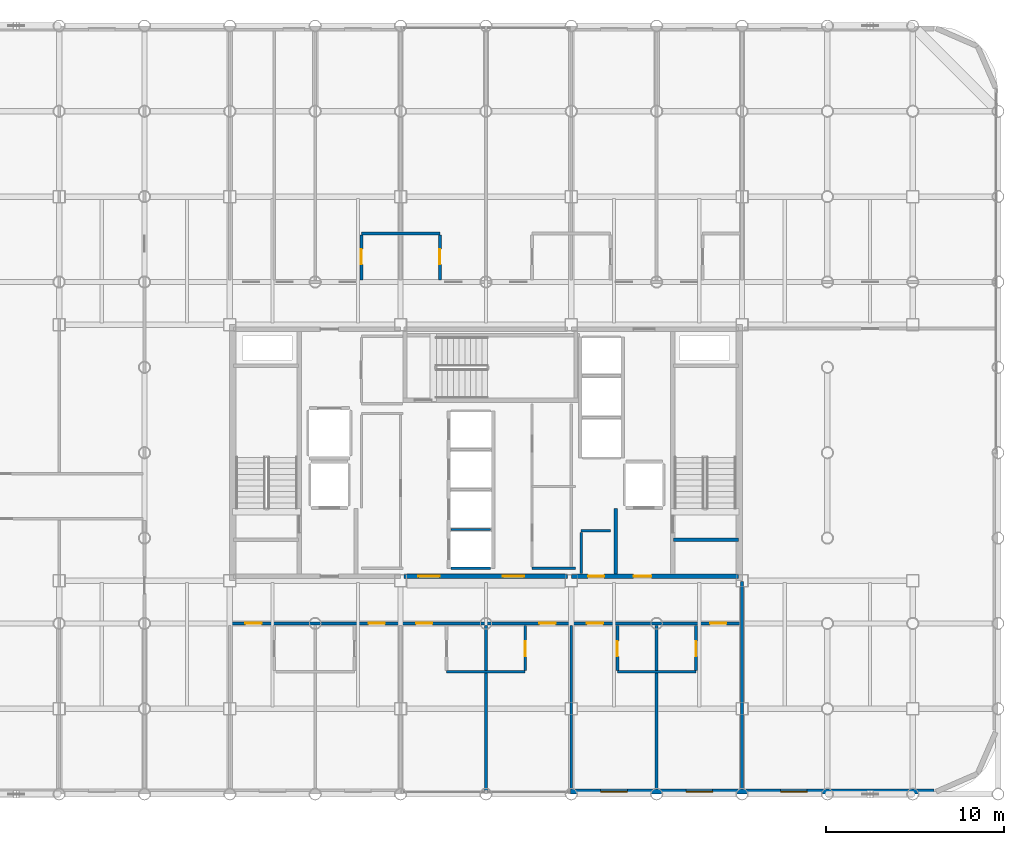
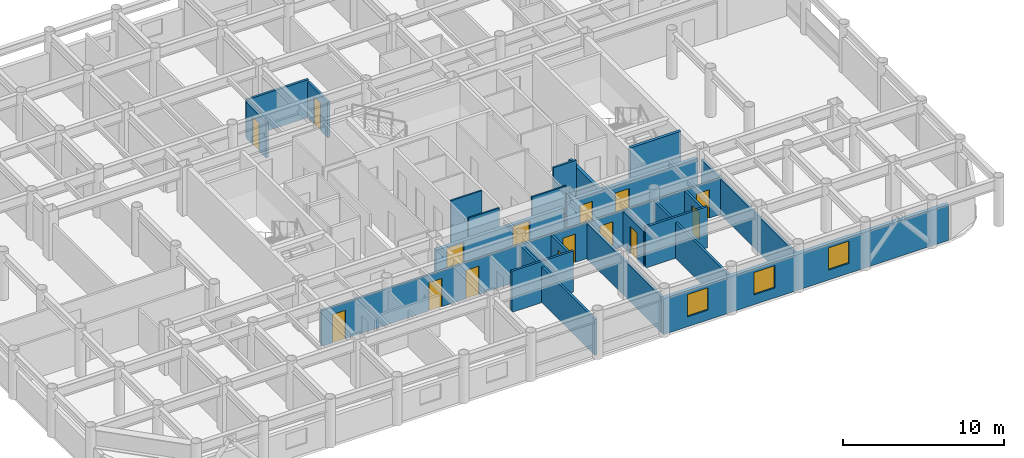
# One storey, part 17 of 20: 23 walls, 15 doors, 3 windows, 18 openings.
"""IFC4 building model written with IfcOpenShell, lengths in metres."""

from ifc_helpers import new_model, si_unit, direction, frame, frame_2d, origin, place, context, subcontext, project, spatial, rectangle, extrude, material, layer, layer_set, type_object, element, fill, save


model = new_model("IFC4")

# Units and contexts
model_context = context("Model", 3, precision=1e-05, world=origin(), true_north=direction((0.0, 1.0)))
body_context = subcontext(model_context, "Body", "Model", "MODEL_VIEW")
ifc_project = project(units=[si_unit("LENGTHUNIT", "METRE"), si_unit("AREAUNIT", "SQUARE_METRE"), si_unit("VOLUMEUNIT", "CUBIC_METRE"), si_unit("PLANEANGLEUNIT", "RADIAN"), si_unit("MASSUNIT", "GRAM", prefix="KILO")], contexts=[model_context])

# Site, building, storey
site_placement = place(None, origin())
site = spatial("IfcSite", under=ifc_project, at=site_placement, CompositionType="ELEMENT")
building_placement = place(site_placement, origin())
building = spatial("IfcBuilding", under=site, at=building_placement, Name="Kallvorn Hotel Tower", CompositionType="ELEMENT")
storey_placement = place(building_placement, frame((0.0, 0.0, 132.199951171875)))
storey = spatial("IfcBuildingStorey", under=building, at=storey_placement, Name="L32", CompositionType="ELEMENT", Elevation=132.199951171875)

# Walls
ifc_material_1 = material(Name="Fire-rated double-layer acoustic gypsum drywall EI 60")
ifc_layer_1 = layer(ifc_material_1, 0.159912109375)
ifc_layer_set_1 = layer_set([ifc_layer_1], Name="WL_DEMISE_160")
wall_type_1 = type_object("IfcWallType", Name="WL_DEMISE_160", PredefinedType="PARTITIONING", material=ifc_layer_set_1)
wall_1_placement = place(storey_placement, frame((-2.2099609375, -12.320068359375, 0.0), z_axis=(0.0, 0.0, 1.0), x_axis=(1.0, 0.0, 0.0)))
element("IfcWall", 1, at=wall_1_placement, inside=storey, type_object=wall_type_1, Name="L32 Suite 3203 Superior Twin Room Partition", PredefinedType="PARTITIONING", context=body_context, shape_type="SweptSolid", body=[
    extrude(rectangle(XDim=4.419921875, YDim=0.159912109375, at=frame_2d((2.2099609375, 0.0))), origin(), (0.0, 0.0, 1.0), 3.1201171875),
])
wall_2_placement = place(storey_placement, frame((7.389892578125, -12.320068359375, 0.0), z_axis=(0.0, 0.0, 1.0), x_axis=(1.0, 0.0, 0.0)))
element("IfcWall", 2, at=wall_2_placement, inside=storey, type_object=wall_type_1, Name="L32 Suite 3205 Superior Twin Room Partition", PredefinedType="PARTITIONING", context=body_context, shape_type="SweptSolid", body=[
    extrude(rectangle(XDim=4.420166015625, YDim=0.159912109375, at=frame_2d((2.2099609375, 0.0))), origin(), (0.0, 0.0, 1.0), 3.1201171875),
])

# Wall, openings, doors
wall_3_placement = place(storey_placement, frame((-14.320068359375, -9.60009765625, 0.0), z_axis=(0.0, 0.0, 1.0), x_axis=(1.0, 0.0, 0.0)))
wall_3 = element("IfcWall", 3, at=wall_3_placement, inside=storey, type_object=wall_type_1, Name="L32 Suite 3201 Superior Twin Room Partition", PredefinedType="PARTITIONING", context=body_context, shape_type="SweptSolid", body=[
    extrude(rectangle(XDim=28.64013671875, YDim=0.159912109375, at=frame_2d((14.320068359375, 0.0))), origin(), (0.0, 0.0, 1.0), 2.719970703125),
])
opening_1_placement = place(wall_3_placement, frame((0.794921875, 0.0, 0.0)))
opening_1 = element("IfcOpeningElement", 4, at=opening_1_placement, cuts=wall_3, Name="Opening GD1", PredefinedType="OPENING", context=body_context, shape_type="SweptSolid", body=[
    extrude(rectangle(XDim=0.919921875, YDim=2.14990234375, at=frame_2d((0.4599609375, 1.074951171875))), frame((0.0, 0.094970703125, 0.0), z_axis=(0.0, -1.0, 0.0), x_axis=(1.0, 0.0, 0.0)), (0.0, 0.0, 1.0), 0.18994140625),
])
opening_2_placement = place(wall_3_placement, frame((7.72509765625, 0.0, 0.0)))
opening_2 = element("IfcOpeningElement", 5, at=opening_2_placement, cuts=wall_3, Name="Opening GD1", PredefinedType="OPENING", context=body_context, shape_type="SweptSolid", body=[
    extrude(rectangle(XDim=0.919921875, YDim=2.14990234375, at=frame_2d((0.4599609375, 1.074951171875))), frame((0.0, 0.094970703125, 0.0), z_axis=(0.0, -1.0, 0.0), x_axis=(1.0, 0.0, 0.0)), (0.0, 0.0, 1.0), 0.18994140625),
])
opening_3_placement = place(wall_3_placement, frame((10.39501953125, 0.0, 0.0)))
opening_3 = element("IfcOpeningElement", 6, at=opening_3_placement, cuts=wall_3, Name="Opening GD1", PredefinedType="OPENING", context=body_context, shape_type="SweptSolid", body=[
    extrude(rectangle(XDim=0.919921875, YDim=2.14990234375, at=frame_2d((0.4599609375, 1.074951171875))), frame((0.0, 0.094970703125, 0.0), z_axis=(0.0, -1.0, 0.0), x_axis=(1.0, 0.0, 0.0)), (0.0, 0.0, 1.0), 0.18994140625),
])
opening_4_placement = place(wall_3_placement, frame((17.324951171875, 0.0, 0.0)))
opening_4 = element("IfcOpeningElement", 7, at=opening_4_placement, cuts=wall_3, Name="Opening GD1", PredefinedType="OPENING", context=body_context, shape_type="SweptSolid", body=[
    extrude(rectangle(XDim=0.919921875, YDim=2.14990234375, at=frame_2d((0.4599609375, 1.074951171875))), frame((0.0, 0.094970703125, 0.0), z_axis=(0.0, -1.0, 0.0), x_axis=(1.0, 0.0, 0.0)), (0.0, 0.0, 1.0), 0.18994140625),
])
opening_5_placement = place(wall_3_placement, frame((19.9951171875, 0.0, 0.0)))
opening_5 = element("IfcOpeningElement", 8, at=opening_5_placement, cuts=wall_3, Name="Opening GD1", PredefinedType="OPENING", context=body_context, shape_type="SweptSolid", body=[
    extrude(rectangle(XDim=0.919921875, YDim=2.14990234375, at=frame_2d((0.4599609375, 1.074951171875))), frame((0.0, 0.094970703125, 0.0), z_axis=(0.0, -1.0, 0.0), x_axis=(1.0, 0.0, 0.0)), (0.0, 0.0, 1.0), 0.18994140625),
])
opening_6_placement = place(wall_3_placement, frame((26.925048828125, 0.0, 0.0)))
opening_6 = element("IfcOpeningElement", 9, at=opening_6_placement, cuts=wall_3, Name="Opening GD1", PredefinedType="OPENING", context=body_context, shape_type="SweptSolid", body=[
    extrude(rectangle(XDim=0.919921875, YDim=2.14990234375, at=frame_2d((0.4599609375, 1.074951171875))), frame((0.0, 0.094970703125, 0.0), z_axis=(0.0, -1.0, 0.0), x_axis=(1.0, 0.0, 0.0)), (0.0, 0.0, 1.0), 0.18994140625),
])
ifc_material_2 = material(Name="Solid-core walnut veneer fire-rated timber door leaf", Category="wood")
door_type_1 = type_object("IfcDoorType", Name="DR_GUEST_920x2150", OperationType="NOTDEFINED", PredefinedType="DOOR", material=ifc_material_2)
door_1_placement = place(opening_1_placement, origin())
door_1 = element("IfcDoor", 10, at=door_1_placement, inside=storey, type_object=door_type_1, Name="L32 Suite 3201 Superior Twin Room Door", OperationType="SINGLE_SWING_LEFT", OverallHeight=2.14990234375, OverallWidth=0.919921875, PredefinedType="DOOR", context=body_context, shape_type="SweptSolid", body=[
    extrude(rectangle(XDim=0.919921875, YDim=2.14990234375, at=frame_2d((0.4599609375, 1.074951171875))), frame((0.0, 0.02490234375, 0.0), z_axis=(0.0, -1.0, 0.0), x_axis=(1.0, 0.0, 0.0)), (0.0, 0.0, 1.0), 0.050048828125),
])
fill(opening_1, door_1)
door_2_placement = place(opening_2_placement, origin())
door_2 = element("IfcDoor", 11, at=door_2_placement, inside=storey, type_object=door_type_1, Name="L32 Suite 3202 Superior Twin Room Door", OperationType="SINGLE_SWING_RIGHT", OverallHeight=2.14990234375, OverallWidth=0.919921875, PredefinedType="DOOR", context=body_context, shape_type="SweptSolid", body=[
    extrude(rectangle(XDim=0.919921875, YDim=2.14990234375, at=frame_2d((0.4599609375, 1.074951171875))), frame((0.0, 0.02490234375, 0.0), z_axis=(0.0, -1.0, 0.0), x_axis=(1.0, 0.0, 0.0)), (0.0, 0.0, 1.0), 0.050048828125),
])
fill(opening_2, door_2)
door_3_placement = place(opening_3_placement, origin())
door_3 = element("IfcDoor", 12, at=door_3_placement, inside=storey, type_object=door_type_1, Name="L32 Suite 3203 Superior Twin Room Door", OperationType="SINGLE_SWING_RIGHT", OverallHeight=2.14990234375, OverallWidth=0.919921875, PredefinedType="DOOR", context=body_context, shape_type="SweptSolid", body=[
    extrude(rectangle(XDim=0.919921875, YDim=2.14990234375, at=frame_2d((0.4599609375, 1.074951171875))), frame((0.0, 0.02490234375, 0.0), z_axis=(0.0, -1.0, 0.0), x_axis=(1.0, 0.0, 0.0)), (0.0, 0.0, 1.0), 0.050048828125),
])
fill(opening_3, door_3)
door_4_placement = place(opening_4_placement, origin())
door_4 = element("IfcDoor", 13, at=door_4_placement, inside=storey, type_object=door_type_1, Name="L32 Suite 3204 Superior Twin Room Door", OperationType="SINGLE_SWING_RIGHT", OverallHeight=2.14990234375, OverallWidth=0.919921875, PredefinedType="DOOR", context=body_context, shape_type="SweptSolid", body=[
    extrude(rectangle(XDim=0.919921875, YDim=2.14990234375, at=frame_2d((0.4599609375, 1.074951171875))), frame((0.0, 0.02490234375, 0.0), z_axis=(0.0, -1.0, 0.0), x_axis=(1.0, 0.0, 0.0)), (0.0, 0.0, 1.0), 0.050048828125),
])
fill(opening_4, door_4)
door_5_placement = place(opening_5_placement, origin())
door_5 = element("IfcDoor", 14, at=door_5_placement, inside=storey, type_object=door_type_1, Name="L32 Suite 3205 Superior Twin Room Door", OperationType="SINGLE_SWING_LEFT", OverallHeight=2.14990234375, OverallWidth=0.919921875, PredefinedType="DOOR", context=body_context, shape_type="SweptSolid", body=[
    extrude(rectangle(XDim=0.919921875, YDim=2.14990234375, at=frame_2d((0.4599609375, 1.074951171875))), frame((0.0, 0.02490234375, 0.0), z_axis=(0.0, -1.0, 0.0), x_axis=(1.0, 0.0, 0.0)), (0.0, 0.0, 1.0), 0.050048828125),
])
fill(opening_5, door_5)
door_6_placement = place(opening_6_placement, origin())
door_6 = element("IfcDoor", 15, at=door_6_placement, inside=storey, type_object=door_type_1, Name="L32 Suite 3206 Superior Twin Room Door", OperationType="SINGLE_SWING_LEFT", OverallHeight=2.14990234375, OverallWidth=0.919921875, PredefinedType="DOOR", context=body_context, shape_type="SweptSolid", body=[
    extrude(rectangle(XDim=0.919921875, YDim=2.14990234375, at=frame_2d((0.4599609375, 1.074951171875))), frame((0.0, 0.02490234375, 0.0), z_axis=(0.0, -1.0, 0.0), x_axis=(1.0, 0.0, 0.0)), (0.0, 0.0, 1.0), 0.050048828125),
])
fill(opening_6, door_6)

# Wall
wall_4_placement = place(storey_placement, frame((-7.010009765625, 12.320068359375, 0.0), z_axis=(0.0, 0.0, 1.0), x_axis=(1.0, 0.0, 0.0)))
element("IfcWall", 16, at=wall_4_placement, inside=storey, type_object=wall_type_1, Name="L32 Suite 3207 Standard Twin Room Partition", PredefinedType="PARTITIONING", context=body_context, shape_type="SweptSolid", body=[
    extrude(rectangle(XDim=4.419921875, YDim=0.159912109375, at=frame_2d((2.2099609375, 0.0))), origin(), (0.0, 0.0, 1.0), 2.8701171875),
])

# Wall, opening, door
wall_5_placement = place(storey_placement, frame((-7.0048828125, 9.719970703125, 0.0), z_axis=(0.0, 0.0, 1.0), x_axis=(0.0, 1.0, 0.0)))
wall_5 = element("IfcWall", 17, at=wall_5_placement, inside=storey, type_object=wall_type_1, Name="L32 Suite 3207 Standard Twin Room Partition", PredefinedType="PARTITIONING", context=body_context, shape_type="SweptSolid", body=[
    extrude(rectangle(XDim=2.51513671875, YDim=0.159912109375, at=frame_2d((1.257568359375, 0.0))), origin(), (0.0, 0.0, 1.0), 2.719970703125),
])
opening_7_placement = place(wall_5_placement, frame((0.8701171875, 0.0, 0.0)))
opening_7 = element("IfcOpeningElement", 18, at=opening_7_placement, cuts=wall_5, Name="Opening BD-I", PredefinedType="OPENING", context=body_context, shape_type="SweptSolid", body=[
    extrude(rectangle(XDim=0.860107421875, YDim=2.10009765625, at=frame_2d((0.43017578125, 1.050048828125))), frame((0.0, 0.094970703125, 0.0), z_axis=(0.0, -1.0, 0.0), x_axis=(1.0, 0.0, 0.0)), (0.0, 0.0, 1.0), 0.18994140625),
])
ifc_material_3 = material(Name="Solid-core walnut veneer fire-rated timber door leaf", Category="wood")
door_type_2 = type_object("IfcDoorType", Name="DR_BATH_860x2100", OperationType="NOTDEFINED", PredefinedType="DOOR", material=ifc_material_3)
door_7_placement = place(opening_7_placement, origin())
door_7 = element("IfcDoor", 19, at=door_7_placement, inside=storey, type_object=door_type_2, Name="L32 Suite 3207 En-Suite Bathroom Door", OperationType="SINGLE_SWING_RIGHT", OverallHeight=2.10009765625, OverallWidth=0.860107421875, PredefinedType="DOOR", context=body_context, shape_type="SweptSolid", body=[
    extrude(rectangle(XDim=0.860107421875, YDim=2.10009765625, at=frame_2d((0.43017578125, 1.050048828125))), frame((0.0, 0.02490234375, 0.0), z_axis=(0.0, -1.0, 0.0), x_axis=(1.0, 0.0, 0.0)), (0.0, 0.0, 1.0), 0.050048828125),
])
fill(opening_7, door_7)

wall_6_placement = place(storey_placement, frame((-2.590087890625, 9.719970703125, 0.0), z_axis=(0.0, 0.0, 1.0), x_axis=(0.0, 1.0, 0.0)))
wall_6 = element("IfcWall", 20, at=wall_6_placement, inside=storey, type_object=wall_type_1, Name="L32 Suite 3208 Standard Twin Room Partition", PredefinedType="PARTITIONING", context=body_context, shape_type="SweptSolid", body=[
    extrude(rectangle(XDim=2.51513671875, YDim=0.159912109375, at=frame_2d((1.257568359375, 0.0))), origin(), (0.0, 0.0, 1.0), 2.719970703125),
])
opening_8_placement = place(wall_6_placement, frame((0.8701171875, 0.0, 0.0)))
opening_8 = element("IfcOpeningElement", 21, at=opening_8_placement, cuts=wall_6, Name="Opening BD-I", PredefinedType="OPENING", context=body_context, shape_type="SweptSolid", body=[
    extrude(rectangle(XDim=0.860107421875, YDim=2.10009765625, at=frame_2d((0.43017578125, 1.050048828125))), frame((0.0, 0.094970703125, 0.0), z_axis=(0.0, -1.0, 0.0), x_axis=(1.0, 0.0, 0.0)), (0.0, 0.0, 1.0), 0.18994140625),
])
door_8_placement = place(opening_8_placement, origin())
door_8 = element("IfcDoor", 22, at=door_8_placement, inside=storey, type_object=door_type_2, Name="L32 Suite 3208 En-Suite Bathroom Door", OperationType="SINGLE_SWING_RIGHT", OverallHeight=2.10009765625, OverallWidth=0.860107421875, PredefinedType="DOOR", context=body_context, shape_type="SweptSolid", body=[
    extrude(rectangle(XDim=0.860107421875, YDim=2.10009765625, at=frame_2d((0.43017578125, 1.050048828125))), frame((0.0, 0.02490234375, 0.0), z_axis=(0.0, -1.0, 0.0), x_axis=(1.0, 0.0, 0.0)), (0.0, 0.0, 1.0), 0.050048828125),
])
fill(opening_8, door_8)

# Wall
wall_7_placement = place(storey_placement, frame((0.0, -18.9951171875, 0.0), z_axis=(0.0, 0.0, 1.0), x_axis=(0.0, 1.0, 0.0)))
element("IfcWall", 23, at=wall_7_placement, inside=storey, type_object=wall_type_1, Name="L32 Suite 3203 Superior Twin Room Partition", PredefinedType="PARTITIONING", context=body_context, shape_type="SweptSolid", body=[
    extrude(rectangle(XDim=9.275146484375, YDim=0.159912109375, at=frame_2d((4.6376953125, 0.0))), origin(), (0.0, 0.0, 1.0), 2.719970703125),
])

# Wall, opening, door
wall_8_placement = place(storey_placement, frame((2.2099609375, -12.235107421875, 0.0), z_axis=(0.0, 0.0, 1.0), x_axis=(0.0, 1.0, 0.0)))
wall_8 = element("IfcWall", 24, at=wall_8_placement, inside=storey, type_object=wall_type_1, Name="L32 Suite 3204 Superior Twin Room Partition", PredefinedType="PARTITIONING", context=body_context, shape_type="SweptSolid", body=[
    extrude(rectangle(XDim=2.51513671875, YDim=0.159912109375, at=frame_2d((1.257568359375, 0.0))), origin(), (0.0, 0.0, 1.0), 2.719970703125),
])
opening_9_placement = place(wall_8_placement, frame((0.784912109375, 0.0, 0.0)))
opening_9 = element("IfcOpeningElement", 25, at=opening_9_placement, cuts=wall_8, Name="Opening BD-I", PredefinedType="OPENING", context=body_context, shape_type="SweptSolid", body=[
    extrude(rectangle(XDim=0.860107421875, YDim=2.10009765625, at=frame_2d((0.43017578125, 1.050048828125))), frame((0.0, 0.094970703125, 0.0), z_axis=(0.0, -1.0, 0.0), x_axis=(1.0, 0.0, 0.0)), (0.0, 0.0, 1.0), 0.18994140625),
])
door_9_placement = place(opening_9_placement, origin())
door_9 = element("IfcDoor", 26, at=door_9_placement, inside=storey, type_object=door_type_2, Name="L32 Suite 3204 En-Suite Bathroom Door", OperationType="SINGLE_SWING_RIGHT", OverallHeight=2.10009765625, OverallWidth=0.860107421875, PredefinedType="DOOR", context=body_context, shape_type="SweptSolid", body=[
    extrude(rectangle(XDim=0.860107421875, YDim=2.10009765625, at=frame_2d((0.43017578125, 1.050048828125))), frame((0.0, 0.02490234375, 0.0), z_axis=(0.0, -1.0, 0.0), x_axis=(1.0, 0.0, 0.0)), (0.0, 0.0, 1.0), 0.050048828125),
])
fill(opening_9, door_9)

# Wall
wall_9_placement = place(storey_placement, frame((4.800048828125, -18.909912109375, 0.0), z_axis=(0.0, 0.0, 1.0), x_axis=(0.0, 1.0, 0.0)))
element("IfcWall", 27, at=wall_9_placement, inside=storey, type_object=wall_type_1, Name="L32 Suite 3204 Superior Twin Room Partition", PredefinedType="PARTITIONING", context=body_context, shape_type="SweptSolid", body=[
    extrude(rectangle(XDim=9.18994140625, YDim=0.159912109375, at=frame_2d((4.594970703125, 0.0))), origin(), (0.0, 0.0, 1.0), 2.719970703125),
])

# Wall, opening, door
wall_10_placement = place(storey_placement, frame((7.389892578125, -12.235107421875, 0.0), z_axis=(0.0, 0.0, 1.0), x_axis=(0.0, 1.0, 0.0)))
wall_10 = element("IfcWall", 28, at=wall_10_placement, inside=storey, type_object=wall_type_1, Name="L32 Suite 3205 Superior Twin Room Partition", PredefinedType="PARTITIONING", context=body_context, shape_type="SweptSolid", body=[
    extrude(rectangle(XDim=2.51513671875, YDim=0.159912109375, at=frame_2d((1.257568359375, 0.0))), origin(), (0.0, 0.0, 1.0), 2.719970703125),
])
opening_10_placement = place(wall_10_placement, frame((0.784912109375, 0.0, 0.0)))
opening_10 = element("IfcOpeningElement", 29, at=opening_10_placement, cuts=wall_10, Name="Opening BD-I", PredefinedType="OPENING", context=body_context, shape_type="SweptSolid", body=[
    extrude(rectangle(XDim=0.860107421875, YDim=2.10009765625, at=frame_2d((0.43017578125, 1.050048828125))), frame((0.0, 0.094970703125, 0.0), z_axis=(0.0, -1.0, 0.0), x_axis=(1.0, 0.0, 0.0)), (0.0, 0.0, 1.0), 0.18994140625),
])
door_10_placement = place(opening_10_placement, origin())
door_10 = element("IfcDoor", 30, at=door_10_placement, inside=storey, type_object=door_type_2, Name="L32 Suite 3205 En-Suite Bathroom Door", OperationType="SINGLE_SWING_LEFT", OverallHeight=2.10009765625, OverallWidth=0.860107421875, PredefinedType="DOOR", context=body_context, shape_type="SweptSolid", body=[
    extrude(rectangle(XDim=0.860107421875, YDim=2.10009765625, at=frame_2d((0.43017578125, 1.050048828125))), frame((0.0, 0.02490234375, 0.0), z_axis=(0.0, -1.0, 0.0), x_axis=(1.0, 0.0, 0.0)), (0.0, 0.0, 1.0), 0.050048828125),
])
fill(opening_10, door_10)

# Wall
wall_11_placement = place(storey_placement, frame((9.60009765625, -18.909912109375, 0.0), z_axis=(0.0, 0.0, 1.0), x_axis=(0.0, 1.0, 0.0)))
element("IfcWall", 31, at=wall_11_placement, inside=storey, type_object=wall_type_1, Name="L32 Suite 3205 Superior Twin Room Partition", PredefinedType="PARTITIONING", context=body_context, shape_type="SweptSolid", body=[
    extrude(rectangle(XDim=9.18994140625, YDim=0.159912109375, at=frame_2d((4.594970703125, 0.0))), origin(), (0.0, 0.0, 1.0), 2.719970703125),
])

# Wall, opening, door
wall_12_placement = place(storey_placement, frame((11.81005859375, -12.235107421875, 0.0), z_axis=(0.0, 0.0, 1.0), x_axis=(0.0, 1.0, 0.0)))
wall_12 = element("IfcWall", 32, at=wall_12_placement, inside=storey, type_object=wall_type_1, Name="L32 Suite 3206 Superior Twin Room Partition", PredefinedType="PARTITIONING", context=body_context, shape_type="SweptSolid", body=[
    extrude(rectangle(XDim=2.51513671875, YDim=0.159912109375, at=frame_2d((1.257568359375, 0.0))), origin(), (0.0, 0.0, 1.0), 2.719970703125),
])
opening_11_placement = place(wall_12_placement, frame((0.784912109375, 0.0, 0.0)))
opening_11 = element("IfcOpeningElement", 33, at=opening_11_placement, cuts=wall_12, Name="Opening BD-I", PredefinedType="OPENING", context=body_context, shape_type="SweptSolid", body=[
    extrude(rectangle(XDim=0.860107421875, YDim=2.10009765625, at=frame_2d((0.43017578125, 1.050048828125))), frame((0.0, 0.094970703125, 0.0), z_axis=(0.0, -1.0, 0.0), x_axis=(1.0, 0.0, 0.0)), (0.0, 0.0, 1.0), 0.18994140625),
])
door_11_placement = place(opening_11_placement, origin())
door_11 = element("IfcDoor", 34, at=door_11_placement, inside=storey, type_object=door_type_2, Name="L32 Suite 3206 En-Suite Bathroom Door", OperationType="SINGLE_SWING_LEFT", OverallHeight=2.10009765625, OverallWidth=0.860107421875, PredefinedType="DOOR", context=body_context, shape_type="SweptSolid", body=[
    extrude(rectangle(XDim=0.860107421875, YDim=2.10009765625, at=frame_2d((0.43017578125, 1.050048828125))), frame((0.0, 0.02490234375, 0.0), z_axis=(0.0, -1.0, 0.0), x_axis=(1.0, 0.0, 0.0)), (0.0, 0.0, 1.0), 0.050048828125),
])
fill(opening_11, door_11)

# Wall
wall_13_placement = place(storey_placement, frame((14.39990234375, -18.909912109375, 0.0), z_axis=(0.0, 0.0, 1.0), x_axis=(0.0, 1.0, 0.0)))
element("IfcWall", 35, at=wall_13_placement, inside=storey, type_object=wall_type_1, Name="L32 Suite 3206 Superior Twin Room Partition", PredefinedType="PARTITIONING", context=body_context, shape_type="SweptSolid", body=[
    extrude(rectangle(XDim=11.669921875, YDim=0.159912109375, at=frame_2d((5.8349609375, 0.0))), origin(), (0.0, 0.0, 1.0), 2.719970703125),
])

# Wall, openings, windows
ifc_material_4 = material(Name="Precast basalt-clad insulated concrete wall C40/50", Category="masonry")
ifc_layer_2 = layer(ifc_material_4, 0.280029296875)
ifc_layer_set_2 = layer_set([ifc_layer_2], Name="WL_EXT_LOGGIA_280")
wall_type_2 = type_object("IfcWallType", Name="WL_EXT_LOGGIA_280", PredefinedType="SOLIDWALL", material=ifc_layer_set_2)
wall_14_placement = place(storey_placement, frame((4.75, -19.06005859375, 0.0), z_axis=(0.0, 0.0, 1.0), x_axis=(1.0, 0.0, 0.0)))
wall_14 = element("IfcWall", 36, at=wall_14_placement, inside=storey, type_object=wall_type_2, Name="L32 Exterior Envelope Wall EW-L32-SE", PredefinedType="SOLIDWALL", context=body_context, shape_type="SweptSolid", body=[
    extrude(rectangle(XDim=20.449951171875, YDim=0.280029296875, at=frame_2d((10.22509765625, 0.0))), origin(), (0.0, 0.0, 1.0), 2.719970703125),
])
opening_12_placement = place(wall_14_placement, frame((11.81689453125, 0.0, 0.75)))
opening_12 = element("IfcOpeningElement", 37, at=opening_12_placement, cuts=wall_14, Name="Opening W05", PredefinedType="OPENING", context=body_context, shape_type="SweptSolid", body=[
    extrude(rectangle(XDim=1.5, YDim=1.699951171875, at=frame_2d((0.75, 0.85009765625))), frame((0.0, 0.155029296875, 0.0), z_axis=(0.0, -1.0, 0.0), x_axis=(1.0, 0.0, 0.0)), (0.0, 0.0, 1.0), 0.31005859375),
])
opening_13_placement = place(wall_14_placement, frame((1.699951171875, 0.0, 0.75)))
opening_13 = element("IfcOpeningElement", 38, at=opening_13_placement, cuts=wall_14, Name="Opening W05", PredefinedType="OPENING", context=body_context, shape_type="SweptSolid", body=[
    extrude(rectangle(XDim=1.5, YDim=1.699951171875, at=frame_2d((0.75, 0.85009765625))), frame((0.0, 0.155029296875, 0.0), z_axis=(0.0, -1.0, 0.0), x_axis=(1.0, 0.0, 0.0)), (0.0, 0.0, 1.0), 0.31005859375),
])
opening_14_placement = place(wall_14_placement, frame((6.5, 0.0, 0.75)))
opening_14 = element("IfcOpeningElement", 39, at=opening_14_placement, cuts=wall_14, Name="Opening W05", PredefinedType="OPENING", context=body_context, shape_type="SweptSolid", body=[
    extrude(rectangle(XDim=1.5, YDim=1.699951171875, at=frame_2d((0.75, 0.85009765625))), frame((0.0, 0.155029296875, 0.0), z_axis=(0.0, -1.0, 0.0), x_axis=(1.0, 0.0, 0.0)), (0.0, 0.0, 1.0), 0.31005859375),
])
ifc_material_5 = material(Name="Double-glazed low-e solar-control dark glass", Category="glass")
window_type = type_object("IfcWindowType", Name="WN_HTL_1500x1700", PartitioningType="SINGLE_PANEL", PredefinedType="WINDOW", material=ifc_material_5)
window_1_placement = place(opening_12_placement, origin())
window_1 = element("IfcWindow", 40, at=window_1_placement, inside=storey, type_object=window_type, Name="L32 Guestroom Exterior Window 04", OverallHeight=1.699951171875, OverallWidth=1.5, PartitioningType="SINGLE_PANEL", PredefinedType="WINDOW", context=body_context, shape_type="SweptSolid", body=[
    extrude(rectangle(XDim=1.5, YDim=1.699951171875, at=frame_2d((0.75, 0.85009765625))), frame((0.0, 0.030029296875, 0.0), z_axis=(0.0, -1.0, 0.0), x_axis=(1.0, 0.0, 0.0)), (0.0, 0.0, 1.0), 0.06005859375),
])
fill(opening_12, window_1)
window_2_placement = place(opening_13_placement, origin())
window_2 = element("IfcWindow", 41, at=window_2_placement, inside=storey, type_object=window_type, Name="L32 Guestroom Exterior Window 07", OverallHeight=1.699951171875, OverallWidth=1.5, PartitioningType="SINGLE_PANEL", PredefinedType="WINDOW", context=body_context, shape_type="SweptSolid", body=[
    extrude(rectangle(XDim=1.5, YDim=1.699951171875, at=frame_2d((0.75, 0.85009765625))), frame((0.0, 0.030029296875, 0.0), z_axis=(0.0, -1.0, 0.0), x_axis=(1.0, 0.0, 0.0)), (0.0, 0.0, 1.0), 0.06005859375),
])
fill(opening_13, window_2)
window_3_placement = place(opening_14_placement, origin())
window_3 = element("IfcWindow", 42, at=window_3_placement, inside=storey, type_object=window_type, Name="L32 Guestroom Exterior Window 08", OverallHeight=1.699951171875, OverallWidth=1.5, PartitioningType="SINGLE_PANEL", PredefinedType="WINDOW", context=body_context, shape_type="SweptSolid", body=[
    extrude(rectangle(XDim=1.5, YDim=1.699951171875, at=frame_2d((0.75, 0.85009765625))), frame((0.0, 0.030029296875, 0.0), z_axis=(0.0, -1.0, 0.0), x_axis=(1.0, 0.0, 0.0)), (0.0, 0.0, 1.0), 0.06005859375),
])
fill(opening_14, window_3)

# Walls
ifc_material_6 = material(Name="Concrete C40/50", Category="concrete")
ifc_layer_3 = layer(ifc_material_6, 0.219970703125)
ifc_layer_set_3 = layer_set([ifc_layer_3], Name="WL_FFL_220")
wall_type_3 = type_object("IfcWallType", Name="WL_FFL_220", PredefinedType="SOLIDWALL", material=ifc_layer_set_3)
wall_15_placement = place(storey_placement, frame((7.300048828125, -6.820068359375, 0.0), z_axis=(0.0, 0.0, 1.0), x_axis=(0.0, 1.0, 0.0)))
element("IfcWall", 43, at=wall_15_placement, inside=storey, type_object=wall_type_3, Name="L32 Firefighting Lobby East Divider Wall", PredefinedType="SOLIDWALL", context=body_context, shape_type="SweptSolid", body=[
    extrude(rectangle(XDim=3.670166015625, YDim=0.219970703125, at=frame_2d((1.8349609375, 0.0))), origin(), (0.0, 0.0, 1.0), 2.719970703125),
])
ifc_material_7 = material(Name="Concrete C40/50", Category="concrete")
ifc_layer_4 = layer(ifc_material_7, 0.199951171875)
ifc_layer_set_4 = layer_set([ifc_layer_4], Name="WL_HOIST_200")
wall_type_4 = type_object("IfcWallType", Name="WL_HOIST_200", PredefinedType="SOLIDWALL", material=ifc_layer_set_4)
wall_16_placement = place(storey_placement, frame((10.550048828125, -4.89990234375, -0.179931640625), z_axis=(0.0, 0.0, 1.0), x_axis=(1.0, 0.0, 0.0)))
element("IfcWall", 44, at=wall_16_placement, inside=storey, type_object=wall_type_4, Name="L32 Stair ST2 South Wall", PredefinedType="SOLIDWALL", context=body_context, shape_type="SweptSolid", body=[
    extrude(rectangle(XDim=3.64990234375, YDim=0.199951171875, at=frame_2d((1.824951171875, 0.0))), origin(), (0.0, 0.0, 1.0), 3.699951171875),
])
ifc_material_8 = material(Name="Fire-rated double-layer acoustic gypsum drywall EI 60")
ifc_layer_5 = layer(ifc_material_8, 0.1201171875)
ifc_layer_set_5 = layer_set([ifc_layer_5], Name="WL_INT_120")
wall_type_5 = type_object("IfcWallType", Name="WL_INT_120", PredefinedType="PARTITIONING", material=ifc_layer_set_5)
for number, where, z_axis, x_axis, name in (
    (45, (-1.9599609375, -6.5, 0.0), (0.0, 0.0, 1.0), (1.0, 0.0, 0.0), "L32 Lift Bank B2 South Closure Wall"),
    (46, (-1.9599609375, -4.324951171875, 0.0), (0.0, 0.0, 1.0), (1.0, 0.0, 0.0), "L32 PL-05 Hoistway Divider"),
):
    element("IfcWall", number, at=place(storey_placement, frame(where, z_axis=z_axis, x_axis=x_axis)), inside=storey, type_object=wall_type_5, Name=name, PredefinedType="PARTITIONING", context=body_context, shape_type="SweptSolid", body=[
        extrude(rectangle(XDim=2.219970703125, YDim=0.1201171875, at=frame_2d((1.10986328125, 0.0))), origin(), (0.0, 0.0, 1.0), 3.52001953125),
    ])
wall_17_placement = place(storey_placement, frame((2.60009765625, -6.5, 0.0), z_axis=(0.0, 0.0, 1.0), x_axis=(1.0, 0.0, 0.0)))
element("IfcWall", 47, at=wall_17_placement, inside=storey, type_object=wall_type_5, Name="L32 East Core Amenities and Minibar Store Partition", PredefinedType="PARTITIONING", context=body_context, shape_type="SweptSolid", body=[
    extrude(rectangle(XDim=2.449951171875, YDim=0.1201171875, at=frame_2d((1.22509765625, 0.0))), origin(), (0.0, 0.0, 1.0), 3.52001953125),
])
ifc_material_9 = material(Name="Moisture-resistant acoustic plumbing chase wall EI 60")
ifc_layer_6 = layer(ifc_material_9, 0.139892578125)
ifc_layer_set_6 = layer_set([ifc_layer_6], Name="WL_PLUMB_140")
wall_type_6 = type_object("IfcWallType", Name="WL_PLUMB_140", PredefinedType="PLUMBINGWALL", material=ifc_layer_set_6)
wall_18_placement = place(storey_placement, frame((5.35009765625, -4.39990234375, 0.0), z_axis=(0.0, 0.0, 1.0), x_axis=(1.0, 0.0, 0.0)))
element("IfcWall", 48, at=wall_18_placement, inside=storey, type_object=wall_type_6, Name="L32 Core Staff Restroom WC Partition", PredefinedType="PLUMBINGWALL", context=body_context, shape_type="SweptSolid", body=[
    extrude(rectangle(XDim=1.64990234375, YDim=0.139892578125, at=frame_2d((0.824951171875, 0.0))), origin(), (0.0, 0.0, 1.0), 3.52001953125),
])
wall_19_placement = place(storey_placement, frame((5.35009765625, -6.800048828125, 0.0), z_axis=(0.0, 0.0, 1.0), x_axis=(0.0, 1.0, 0.0)))
element("IfcWall", 49, at=wall_19_placement, inside=storey, type_object=wall_type_6, Name="L32 Core Staff Restroom WC Partition", PredefinedType="PLUMBINGWALL", context=body_context, shape_type="SweptSolid", body=[
    extrude(rectangle(XDim=2.31494140625, YDim=0.139892578125, at=frame_2d((1.157470703125, 0.0))), origin(), (0.0, 0.0, 1.0), 2.719970703125),
])

# Wall, openings, doors
ifc_material_10 = material(Name="Concrete C40/50", Category="concrete")
ifc_layer_7 = layer(ifc_material_10, 0.25)
ifc_layer_set_7 = layer_set([ifc_layer_7], Name="WL_SHAFT_250")
wall_type_7 = type_object("IfcWallType", Name="WL_SHAFT_250", PredefinedType="SOLIDWALL", material=ifc_layer_set_7)
wall_20_placement = place(storey_placement, frame((-4.60009765625, -6.949951171875, 0.0), z_axis=(0.0, 0.0, 1.0), x_axis=(1.0, 0.0, 0.0)))
wall_20 = element("IfcWall", 50, at=wall_20_placement, inside=storey, type_object=wall_type_7, Name="L32 Core South-Central Wall", PredefinedType="SOLIDWALL", context=body_context, shape_type="SweptSolid", body=[
    extrude(rectangle(XDim=9.2001953125, YDim=0.25, at=frame_2d((4.60009765625, 0.0))), origin(), (0.0, 0.0, 1.0), 2.320068359375),
])
opening_15_placement = place(wall_20_placement, frame((0.800048828125, 0.0, 0.0)))
opening_15 = element("IfcOpeningElement", 51, at=opening_15_placement, cuts=wall_20, Name="Opening FD2", PredefinedType="OPENING", context=body_context, shape_type="SweptSolid", body=[
    extrude(rectangle(XDim=1.199951171875, YDim=2.199951171875, at=frame_2d((0.60009765625, 1.10009765625))), frame((0.0, 0.139892578125, 0.0), z_axis=(0.0, -1.0, 0.0), x_axis=(1.0, 0.0, 0.0)), (0.0, 0.0, 1.0), 0.280029296875),
])
opening_16_placement = place(wall_20_placement, frame((5.550048828125, 0.0, 0.0)))
opening_16 = element("IfcOpeningElement", 52, at=opening_16_placement, cuts=wall_20, Name="Opening FD2", PredefinedType="OPENING", context=body_context, shape_type="SweptSolid", body=[
    extrude(rectangle(XDim=1.199951171875, YDim=2.199951171875, at=frame_2d((0.60009765625, 1.10009765625))), frame((0.0, 0.139892578125, 0.0), z_axis=(0.0, -1.0, 0.0), x_axis=(1.0, 0.0, 0.0)), (0.0, 0.0, 1.0), 0.280029296875),
])
ifc_material_11 = material(Name="Galvanised painted steel fire-rated door assembly", Category="steel")
door_type_3 = type_object("IfcDoorType", Name="DR_LOBBY_1200x2200", OperationType="DOUBLE_DOOR_SINGLE_SWING", PredefinedType="DOOR", material=ifc_material_11)
door_12_placement = place(opening_15_placement, origin())
door_12 = element("IfcDoor", 53, at=door_12_placement, inside=storey, type_object=door_type_3, Name="L32 West Passenger Lift Lobby Door", OperationType="DOUBLE_DOOR_SINGLE_SWING", OverallHeight=2.199951171875, OverallWidth=1.199951171875, PredefinedType="DOOR", context=body_context, shape_type="SweptSolid", body=[
    extrude(rectangle(XDim=1.199951171875, YDim=2.199951171875, at=frame_2d((0.60009765625, 1.10009765625))), frame((0.0, 0.02490234375, 0.0), z_axis=(0.0, -1.0, 0.0), x_axis=(1.0, 0.0, 0.0)), (0.0, 0.0, 1.0), 0.050048828125),
])
fill(opening_15, door_12)
door_13_placement = place(opening_16_placement, origin())
door_13 = element("IfcDoor", 54, at=door_13_placement, inside=storey, type_object=door_type_3, Name="L32 East Passenger Lift Lobby Door", OperationType="DOUBLE_DOOR_SINGLE_SWING", OverallHeight=2.199951171875, OverallWidth=1.199951171875, PredefinedType="DOOR", context=body_context, shape_type="SweptSolid", body=[
    extrude(rectangle(XDim=1.199951171875, YDim=2.199951171875, at=frame_2d((0.60009765625, 1.10009765625))), frame((0.0, 0.02490234375, 0.0), z_axis=(0.0, -1.0, 0.0), x_axis=(1.0, 0.0, 0.0)), (0.0, 0.0, 1.0), 0.050048828125),
])
fill(opening_16, door_13)

wall_21_placement = place(storey_placement, frame((4.800048828125, -6.949951171875, 0.0), z_axis=(0.0, 0.0, 1.0), x_axis=(1.0, 0.0, 0.0)))
wall_21 = element("IfcWall", 55, at=wall_21_placement, inside=storey, type_object=wall_type_7, Name="L32 Core South-East Wall", PredefinedType="SOLIDWALL", context=body_context, shape_type="SweptSolid", body=[
    extrude(rectangle(XDim=9.39990234375, YDim=0.25, at=frame_2d((4.699951171875, 0.0))), origin(), (0.0, 0.0, 1.0), 2.719970703125),
])
opening_17_placement = place(wall_21_placement, frame((3.5, 0.0, 0.0)))
opening_17 = element("IfcOpeningElement", 56, at=opening_17_placement, cuts=wall_21, Name="Opening FD1", PredefinedType="OPENING", context=body_context, shape_type="SweptSolid", body=[
    extrude(rectangle(XDim=1.0, YDim=2.14990234375, at=frame_2d((0.5, 1.074951171875))), frame((0.0, 0.139892578125, 0.0), z_axis=(0.0, -1.0, 0.0), x_axis=(1.0, 0.0, 0.0)), (0.0, 0.0, 1.0), 0.280029296875),
])
opening_18_placement = place(wall_21_placement, frame((0.949951171875, 0.0, 0.0)))
opening_18 = element("IfcOpeningElement", 57, at=opening_18_placement, cuts=wall_21, Name="Opening SVD1", PredefinedType="OPENING", context=body_context, shape_type="SweptSolid", body=[
    extrude(rectangle(XDim=0.89990234375, YDim=2.10009765625, at=frame_2d((0.449951171875, 1.050048828125))), frame((0.0, 0.139892578125, 0.0), z_axis=(0.0, -1.0, 0.0), x_axis=(1.0, 0.0, 0.0)), (0.0, 0.0, 1.0), 0.280029296875),
])
ifc_material_12 = material(Name="Galvanised painted steel fire-rated door assembly", Category="steel")
door_type_4 = type_object("IfcDoorType", Name="DR_FFL_1000x2150", OperationType="NOTDEFINED", PredefinedType="DOOR", material=ifc_material_12)
door_14_placement = place(opening_17_placement, origin())
door_14 = element("IfcDoor", 58, at=door_14_placement, inside=storey, type_object=door_type_4, Name="L32 Firefighting Lobby East Door", OperationType="SINGLE_SWING_LEFT", OverallHeight=2.14990234375, OverallWidth=1.0, PredefinedType="DOOR", context=body_context, shape_type="SweptSolid", body=[
    extrude(rectangle(XDim=1.0, YDim=2.14990234375, at=frame_2d((0.5, 1.074951171875))), frame((0.0, 0.02490234375, 0.0), z_axis=(0.0, -1.0, 0.0), x_axis=(1.0, 0.0, 0.0)), (0.0, 0.0, 1.0), 0.050048828125),
])
fill(opening_17, door_14)
ifc_material_13 = material(Name="Galvanised painted steel fire-rated door assembly", Category="steel")
door_type_5 = type_object("IfcDoorType", Name="DR_SERV_900x2100", OperationType="NOTDEFINED", PredefinedType="DOOR", material=ifc_material_13)
door_15_placement = place(opening_18_placement, origin())
door_15 = element("IfcDoor", 59, at=door_15_placement, inside=storey, type_object=door_type_5, Name="L32 Core Staff Restroom WC Door", OperationType="SINGLE_SWING_LEFT", OverallHeight=2.10009765625, OverallWidth=0.89990234375, PredefinedType="DOOR", context=body_context, shape_type="SweptSolid", body=[
    extrude(rectangle(XDim=0.89990234375, YDim=2.10009765625, at=frame_2d((0.449951171875, 1.050048828125))), frame((0.0, 0.02490234375, 0.0), z_axis=(0.0, -1.0, 0.0), x_axis=(1.0, 0.0, 0.0)), (0.0, 0.0, 1.0), 0.050048828125),
])
fill(opening_18, door_15)

save(model, "model.ifc")
